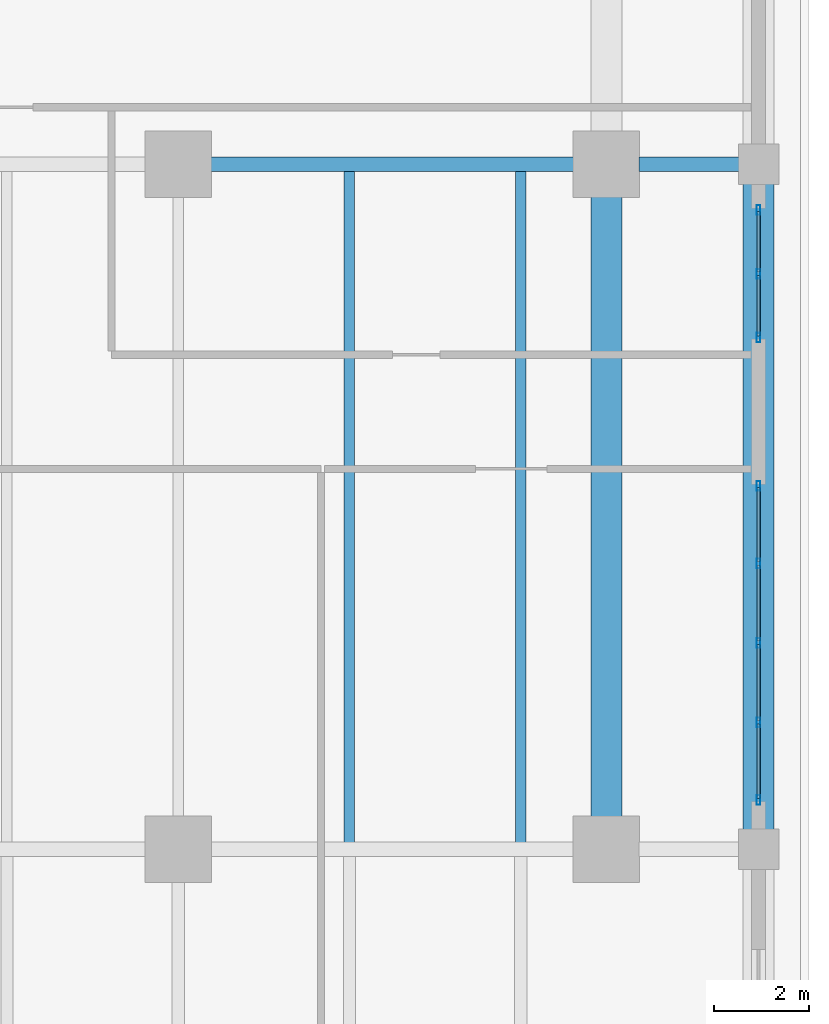
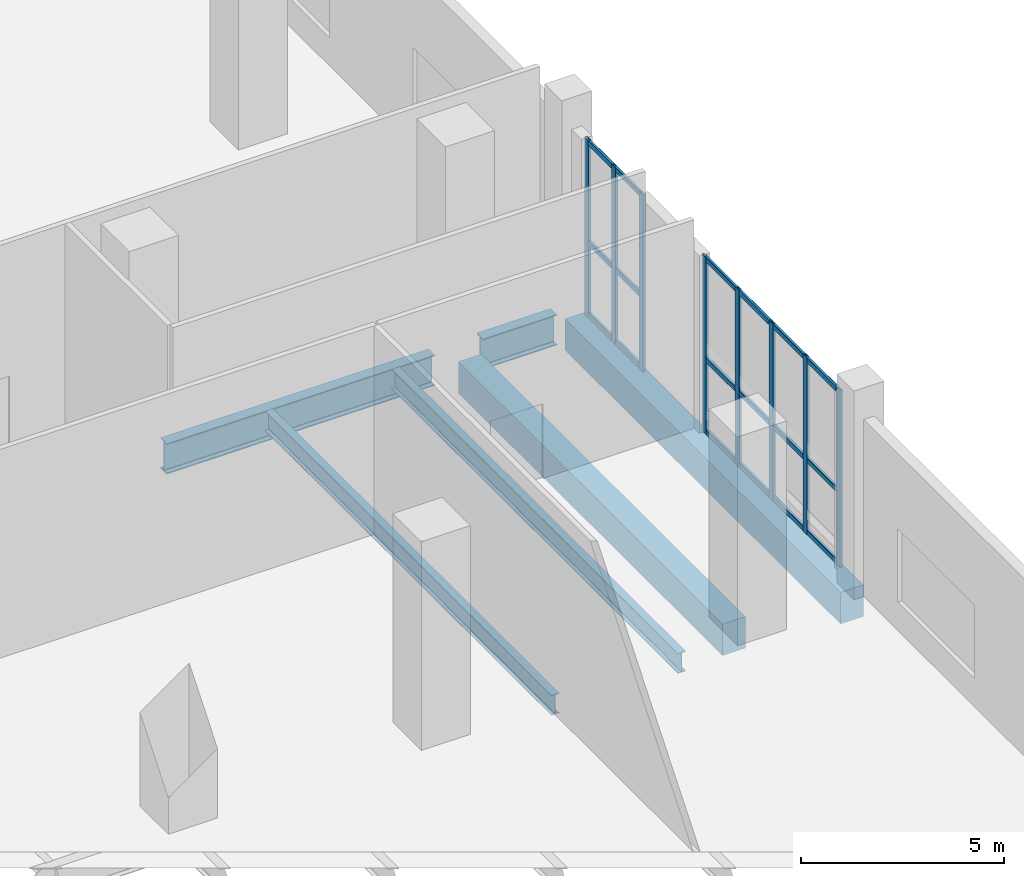
# One storey, part 18 of 29: 26 members, 6 beams, 2 elements without a shape of their own.
"""IFC4 building model written with IfcOpenShell, lengths in metres."""

from ifc_helpers import new_model, si_unit, direction, frame, origin, origin_2d, place, context, subcontext, project, spatial, rectangle, hollow_rectangle, i_section, extrude, material, layer, layer_set, material_profile, profile_set, type_object, element, aggregate, save


model = new_model("IFC4")

# Units and contexts
model_context = context("Model", 3, precision=1e-05, world=origin(), true_north=direction((0.0, 1.0)))
body_context = subcontext(model_context, "Body", "Model", "MODEL_VIEW")
ifc_project = project(units=[si_unit("LENGTHUNIT", "METRE"), si_unit("AREAUNIT", "SQUARE_METRE"), si_unit("VOLUMEUNIT", "CUBIC_METRE"), si_unit("PLANEANGLEUNIT", "RADIAN"), si_unit("MASSUNIT", "GRAM", prefix="KILO")], contexts=[model_context])

# Site, building, storey
site_placement = place(None, origin())
site = spatial("IfcSite", under=ifc_project, at=site_placement, CompositionType="ELEMENT")
building_placement = place(site_placement, origin())
building = spatial("IfcBuilding", under=site, at=building_placement, Name="Kaelvorn Grand Hotel", CompositionType="ELEMENT")
storey_placement = place(building_placement, frame((0.0, 0.0, 19.39990234375)))
storey = spatial("IfcBuildingStorey", under=building, at=storey_placement, Name="L03", CompositionType="ELEMENT", Elevation=19.39990234375)

# Beams
ifc_material_1 = material(Name="Steel S355", Category="steel")
ifc_material_profile_1 = material_profile(ifc_material_1, i_section(OverallWidth=0.305419921875, OverallDepth=0.91845703125, WebThickness=0.017333984375, FlangeThickness=0.02783203125, FilletRadius=0.01904296875, at=origin_2d()), Name="UB 914x305x253")
ifc_profile_set_1 = profile_set([ifc_material_profile_1], Name="Steel S355")
beam_type_1 = type_object("IfcBeamType", Name="BM-G-UB914-S355", PredefinedType="BEAM", material=ifc_profile_set_1)
beam_1_placement = place(storey_placement, frame((75.68505859375, 29.39990234375, -0.779052734375), z_axis=(1.0, 0.0, 0.0), x_axis=(0.0, 1.0, 0.0)))
element("IfcBeam", 1, at=beam_1_placement, inside=storey, type_object=beam_type_1, Name="L03 East Core Wing Steel Girder G-29E 02", PredefinedType="BEAM", context=body_context, shape_type="SweptSolid", body=[
    extrude(i_section(OverallWidth=0.305419921875, OverallDepth=0.91845703125, WebThickness=0.017333984375, FlangeThickness=0.02783203125, FilletRadius=0.01904296875, at=origin_2d()), origin(), (0.0, 0.0, 1.0), 7.6298828125),
])
beam_2_placement = place(storey_placement, frame((84.68505859375, 29.39990234375, -0.779052734375), z_axis=(1.0, 0.0, 0.0), x_axis=(0.0, 1.0, 0.0)))
element("IfcBeam", 2, at=beam_2_placement, inside=storey, type_object=beam_type_1, Name="L03 East Core Wing Steel Girder G-29E 03", PredefinedType="BEAM", context=body_context, shape_type="SweptSolid", body=[
    extrude(i_section(OverallWidth=0.305419921875, OverallDepth=0.91845703125, WebThickness=0.017333984375, FlangeThickness=0.02783203125, FilletRadius=0.01904296875, at=origin_2d()), origin(), (0.0, 0.0, 1.0), 2.10498046875),
])
ifc_material_profile_2 = material_profile(ifc_material_1, i_section(OverallWidth=0.219970703125, OverallDepth=0.60009765625, WebThickness=0.011962890625, FlangeThickness=0.01904296875, FilletRadius=0.02392578125, at=origin_2d()), Name="IPE 600")
ifc_profile_set_2 = profile_set([ifc_material_profile_2], Name="Steel S355")
beam_type_2 = type_object("IfcBeamType", Name="BM-J-IPE600-S355", PredefinedType="JOIST", material=ifc_profile_set_2)
for number, where, z_axis, x_axis, name in (
    (3, (78.60009765625, 15.1376953125, -0.619873046875), (0.0, 1.0, 0.0), (-1.0, 0.0, 0.0), "L03 Composite Floor Joist JM-22"),
    (4, (82.199951171875, 15.1376953125, -0.619873046875), (0.0, 1.0, 0.0), (-1.0, 0.0, 0.0), "L03 Composite Floor Joist JM-23"),
):
    element("IfcBeam", number, at=place(storey_placement, frame(where, z_axis=z_axis, x_axis=x_axis)), inside=storey, type_object=beam_type_2, Name=name, PredefinedType="JOIST", context=body_context, shape_type="SweptSolid", body=[
        extrude(i_section(OverallWidth=0.219970703125, OverallDepth=0.60009765625, WebThickness=0.011962890625, FlangeThickness=0.01904296875, FilletRadius=0.02392578125, at=origin_2d()), origin(), (0.0, 0.0, 1.0), 14.12451171875),
    ])
ifc_material_2 = material(Name="Concrete C60/75", Category="concrete")
ifc_material_profile_3 = material_profile(ifc_material_2, rectangle(XDim=0.64990234375, YDim=0.949951171875, at=origin_2d()), Name="RC SPANDREL 650x950")
ifc_profile_set_3 = profile_set([ifc_material_profile_3], Name="Concrete C60/75")
beam_type_3 = type_object("IfcBeamType", Name="BM-SP-650x950-C60", PredefinedType="SPANDREL", material=ifc_profile_set_3)
beam_3_placement = place(storey_placement, frame((87.199951171875, 15.409912109375, -0.794921875), z_axis=(0.0, 1.0, 0.0), x_axis=(-1.0, 0.0, 0.0)))
element("IfcBeam", 5, at=beam_3_placement, inside=storey, type_object=beam_type_3, Name="L03 East Perimeter Spandrel 02", PredefinedType="SPANDREL", context=body_context, shape_type="SweptSolid", body=[
    extrude(rectangle(XDim=0.64990234375, YDim=0.949951171875, at=origin_2d()), origin(), (0.0, 0.0, 1.0), 13.580078125),
])
beam_4_placement = place(storey_placement, frame((84.0, 15.68505859375, -0.794921875), z_axis=(0.0, 1.0, 0.0), x_axis=(-1.0, 0.0, 0.0)))
element("IfcBeam", 6, at=beam_4_placement, inside=storey, type_object=beam_type_3, Name="L03 Tower Wing Girder TE 01", PredefinedType="SPANDREL", context=body_context, shape_type="SweptSolid", body=[
    extrude(rectangle(XDim=0.64990234375, YDim=0.949951171875, at=origin_2d()), origin(), (0.0, 0.0, 1.0), 13.030029296875),
])

# Curtain wall, members
ifc_material_3 = material(Name="Anodised Aluminium", Category="aluminium")
ifc_layer = layer(ifc_material_3, 0.199951171875)
ifc_layer_set = layer_set([ifc_layer], Name="Anodised Aluminium")
curtain_wall_type = type_object("IfcCurtainWallType", Name="CW-SYS2", PredefinedType="NOTDEFINED", material=ifc_layer_set)
curtain_wall_1_placement = place(storey_placement, origin())
curtain_wall_1 = element("IfcCurtainWall", 7, at=curtain_wall_1_placement, inside=storey, type_object=curtain_wall_type, Name="L03 Unitised Curtain Wall CW2 (CW-L03-E-01)", PredefinedType="NOTDEFINED")
ifc_material_profile_4 = material_profile(ifc_material_3, hollow_rectangle(XDim=0.074951171875, YDim=0.199951171875, WallThickness=0.00390625, InnerFilletRadius=0.00390625, OuterFilletRadius=0.008056640625, at=origin_2d()), Name="ALU MULL 75x200")
ifc_profile_set_4 = profile_set([ifc_material_profile_4], Name="Anodised Aluminium")
member_type_1 = type_object("IfcMemberType", Name="CW-SYS2-MULL", PredefinedType="MULLION", material=ifc_profile_set_4)
member_1_placement = place(storey_placement, frame((87.199951171875, 16.03759765625, 0.0), z_axis=(0.0, 0.0, 1.0), x_axis=(-1.0, 0.0, 0.0)))
member_1 = element("IfcMember", 8, at=member_1_placement, type_object=member_type_1, Name="CW2 mullion 1", PredefinedType="MULLION", context=body_context, shape_type="SweptSolid", body=[
    extrude(hollow_rectangle(XDim=0.074951171875, YDim=0.199951171875, WallThickness=0.00390625, InnerFilletRadius=0.00390625, OuterFilletRadius=0.008056640625, at=origin_2d()), origin(), (0.0, 0.0, 1.0), 5.330078125),
])
member_2_placement = place(storey_placement, frame((87.199951171875, 17.669921875, 0.0), z_axis=(0.0, 0.0, 1.0), x_axis=(-1.0, 0.0, 0.0)))
member_2 = element("IfcMember", 9, at=member_2_placement, type_object=member_type_1, Name="CW2 mullion 2", PredefinedType="MULLION", context=body_context, shape_type="SweptSolid", body=[
    extrude(hollow_rectangle(XDim=0.074951171875, YDim=0.199951171875, WallThickness=0.00390625, InnerFilletRadius=0.00390625, OuterFilletRadius=0.008056640625, at=origin_2d()), origin(), (0.0, 0.0, 1.0), 5.330078125),
])
member_3_placement = place(storey_placement, frame((87.199951171875, 19.340087890625, 0.0), z_axis=(0.0, 0.0, 1.0), x_axis=(-1.0, 0.0, 0.0)))
member_3 = element("IfcMember", 10, at=member_3_placement, type_object=member_type_1, Name="CW2 mullion 3", PredefinedType="MULLION", context=body_context, shape_type="SweptSolid", body=[
    extrude(hollow_rectangle(XDim=0.074951171875, YDim=0.199951171875, WallThickness=0.00390625, InnerFilletRadius=0.00390625, OuterFilletRadius=0.008056640625, at=origin_2d()), origin(), (0.0, 0.0, 1.0), 5.330078125),
])
member_4_placement = place(storey_placement, frame((87.199951171875, 21.010009765625, 0.0), z_axis=(0.0, 0.0, 1.0), x_axis=(-1.0, 0.0, 0.0)))
member_4 = element("IfcMember", 11, at=member_4_placement, type_object=member_type_1, Name="CW2 mullion 4", PredefinedType="MULLION", context=body_context, shape_type="SweptSolid", body=[
    extrude(hollow_rectangle(XDim=0.074951171875, YDim=0.199951171875, WallThickness=0.00390625, InnerFilletRadius=0.00390625, OuterFilletRadius=0.008056640625, at=origin_2d()), origin(), (0.0, 0.0, 1.0), 5.330078125),
])
member_5_placement = place(storey_placement, frame((87.199951171875, 22.642578125, 0.0), z_axis=(0.0, 0.0, 1.0), x_axis=(-1.0, 0.0, 0.0)))
member_5 = element("IfcMember", 12, at=member_5_placement, type_object=member_type_1, Name="CW2 mullion 5", PredefinedType="MULLION", context=body_context, shape_type="SweptSolid", body=[
    extrude(hollow_rectangle(XDim=0.074951171875, YDim=0.199951171875, WallThickness=0.00390625, InnerFilletRadius=0.00390625, OuterFilletRadius=0.008056640625, at=origin_2d()), origin(), (0.0, 0.0, 1.0), 5.330078125),
])

curtain_wall_2_placement = place(storey_placement, origin())
curtain_wall_2 = element("IfcCurtainWall", 13, at=curtain_wall_2_placement, inside=storey, type_object=curtain_wall_type, Name="L03 Unitised Curtain Wall CW2 (CW-L03-E-02)", PredefinedType="NOTDEFINED")
member_6_placement = place(storey_placement, frame((87.199951171875, 25.757568359375, 0.0), z_axis=(0.0, 0.0, 1.0), x_axis=(-1.0, 0.0, 0.0)))
member_6 = element("IfcMember", 14, at=member_6_placement, type_object=member_type_1, Name="CW2 mullion 1", PredefinedType="MULLION", context=body_context, shape_type="SweptSolid", body=[
    extrude(hollow_rectangle(XDim=0.074951171875, YDim=0.199951171875, WallThickness=0.00390625, InnerFilletRadius=0.00390625, OuterFilletRadius=0.008056640625, at=origin_2d()), origin(), (0.0, 0.0, 1.0), 5.330078125),
])
member_7_placement = place(storey_placement, frame((87.199951171875, 27.10009765625, 0.0), z_axis=(0.0, 0.0, 1.0), x_axis=(-1.0, 0.0, 0.0)))
member_7 = element("IfcMember", 15, at=member_7_placement, type_object=member_type_1, Name="CW2 mullion 2", PredefinedType="MULLION", context=body_context, shape_type="SweptSolid", body=[
    extrude(hollow_rectangle(XDim=0.074951171875, YDim=0.199951171875, WallThickness=0.00390625, InnerFilletRadius=0.00390625, OuterFilletRadius=0.008056640625, at=origin_2d()), origin(), (0.0, 0.0, 1.0), 5.330078125),
])
member_8_placement = place(storey_placement, frame((87.199951171875, 28.4423828125, 0.0), z_axis=(0.0, 0.0, 1.0), x_axis=(-1.0, 0.0, 0.0)))
member_8 = element("IfcMember", 16, at=member_8_placement, type_object=member_type_1, Name="CW2 mullion 3", PredefinedType="MULLION", context=body_context, shape_type="SweptSolid", body=[
    extrude(hollow_rectangle(XDim=0.074951171875, YDim=0.199951171875, WallThickness=0.00390625, InnerFilletRadius=0.00390625, OuterFilletRadius=0.008056640625, at=origin_2d()), origin(), (0.0, 0.0, 1.0), 5.330078125),
])

# Member
ifc_material_profile_5 = material_profile(ifc_material_3, hollow_rectangle(XDim=0.074951171875, YDim=0.14990234375, WallThickness=0.00390625, InnerFilletRadius=0.00390625, OuterFilletRadius=0.008056640625, at=origin_2d()), Name="ALU TRAN 75x150")
ifc_profile_set_5 = profile_set([ifc_material_profile_5], Name="Anodised Aluminium")
member_type_2 = type_object("IfcMemberType", Name="CW-SYS2-TRAN", PredefinedType="NOTDEFINED", material=ifc_profile_set_5)
member_9_placement = place(storey_placement, frame((87.199951171875, 16.074951171875, 0.0751953125), z_axis=(0.0, 1.0, 0.0), x_axis=(-1.0, 0.0, 0.0)))
member_9 = element("IfcMember", 17, at=member_9_placement, type_object=member_type_2, Name="CW2 transom 1.1", ObjectType="TRANSOM", PredefinedType="USERDEFINED", context=body_context, shape_type="SweptSolid", body=[
    extrude(hollow_rectangle(XDim=0.074951171875, YDim=0.14990234375, WallThickness=0.00390625, InnerFilletRadius=0.00390625, OuterFilletRadius=0.008056640625, at=origin_2d()), origin(), (0.0, 0.0, 1.0), 1.5576171875),
])

member_10_placement = place(storey_placement, frame((87.199951171875, 16.074951171875, 2.23876953125), z_axis=(0.0, 1.0, 0.0), x_axis=(-1.0, 0.0, 0.0)))
member_10 = element("IfcMember", 18, at=member_10_placement, type_object=member_type_2, Name="CW2 transom 1.2", ObjectType="TRANSOM", PredefinedType="USERDEFINED", context=body_context, shape_type="SweptSolid", body=[
    extrude(hollow_rectangle(XDim=0.074951171875, YDim=0.14990234375, WallThickness=0.00390625, InnerFilletRadius=0.00390625, OuterFilletRadius=0.008056640625, at=origin_2d()), origin(), (0.0, 0.0, 1.0), 1.5576171875),
])

member_11_placement = place(storey_placement, frame((87.199951171875, 16.074951171875, 5.255126953125), z_axis=(0.0, 1.0, 0.0), x_axis=(-1.0, 0.0, 0.0)))
member_11 = element("IfcMember", 19, at=member_11_placement, type_object=member_type_2, Name="CW2 transom 1.3", ObjectType="TRANSOM", PredefinedType="USERDEFINED", context=body_context, shape_type="SweptSolid", body=[
    extrude(hollow_rectangle(XDim=0.074951171875, YDim=0.14990234375, WallThickness=0.00390625, InnerFilletRadius=0.00390625, OuterFilletRadius=0.008056640625, at=origin_2d()), origin(), (0.0, 0.0, 1.0), 1.5576171875),
])

member_12_placement = place(storey_placement, frame((87.199951171875, 17.70751953125, 0.0751953125), z_axis=(0.0, 1.0, 0.0), x_axis=(-1.0, 0.0, 0.0)))
member_12 = element("IfcMember", 20, at=member_12_placement, type_object=member_type_2, Name="CW2 transom 2.1", ObjectType="TRANSOM", PredefinedType="USERDEFINED", context=body_context, shape_type="SweptSolid", body=[
    extrude(hollow_rectangle(XDim=0.074951171875, YDim=0.14990234375, WallThickness=0.00390625, InnerFilletRadius=0.00390625, OuterFilletRadius=0.008056640625, at=origin_2d()), origin(), (0.0, 0.0, 1.0), 1.594970703125),
])

member_13_placement = place(storey_placement, frame((87.199951171875, 17.70751953125, 2.23876953125), z_axis=(0.0, 1.0, 0.0), x_axis=(-1.0, 0.0, 0.0)))
member_13 = element("IfcMember", 21, at=member_13_placement, type_object=member_type_2, Name="CW2 transom 2.2", ObjectType="TRANSOM", PredefinedType="USERDEFINED", context=body_context, shape_type="SweptSolid", body=[
    extrude(hollow_rectangle(XDim=0.074951171875, YDim=0.14990234375, WallThickness=0.00390625, InnerFilletRadius=0.00390625, OuterFilletRadius=0.008056640625, at=origin_2d()), origin(), (0.0, 0.0, 1.0), 1.594970703125),
])

member_14_placement = place(storey_placement, frame((87.199951171875, 17.70751953125, 5.255126953125), z_axis=(0.0, 1.0, 0.0), x_axis=(-1.0, 0.0, 0.0)))
member_14 = element("IfcMember", 22, at=member_14_placement, type_object=member_type_2, Name="CW2 transom 2.3", ObjectType="TRANSOM", PredefinedType="USERDEFINED", context=body_context, shape_type="SweptSolid", body=[
    extrude(hollow_rectangle(XDim=0.074951171875, YDim=0.14990234375, WallThickness=0.00390625, InnerFilletRadius=0.00390625, OuterFilletRadius=0.008056640625, at=origin_2d()), origin(), (0.0, 0.0, 1.0), 1.594970703125),
])

member_15_placement = place(storey_placement, frame((87.199951171875, 19.37744140625, 0.0751953125), z_axis=(0.0, 1.0, 0.0), x_axis=(-1.0, 0.0, 0.0)))
member_15 = element("IfcMember", 23, at=member_15_placement, type_object=member_type_2, Name="CW2 transom 3.1", ObjectType="TRANSOM", PredefinedType="USERDEFINED", context=body_context, shape_type="SweptSolid", body=[
    extrude(hollow_rectangle(XDim=0.074951171875, YDim=0.14990234375, WallThickness=0.00390625, InnerFilletRadius=0.00390625, OuterFilletRadius=0.008056640625, at=origin_2d()), origin(), (0.0, 0.0, 1.0), 1.594970703125),
])

member_16_placement = place(storey_placement, frame((87.199951171875, 19.37744140625, 2.23876953125), z_axis=(0.0, 1.0, 0.0), x_axis=(-1.0, 0.0, 0.0)))
member_16 = element("IfcMember", 24, at=member_16_placement, type_object=member_type_2, Name="CW2 transom 3.2", ObjectType="TRANSOM", PredefinedType="USERDEFINED", context=body_context, shape_type="SweptSolid", body=[
    extrude(hollow_rectangle(XDim=0.074951171875, YDim=0.14990234375, WallThickness=0.00390625, InnerFilletRadius=0.00390625, OuterFilletRadius=0.008056640625, at=origin_2d()), origin(), (0.0, 0.0, 1.0), 1.594970703125),
])

member_17_placement = place(storey_placement, frame((87.199951171875, 19.37744140625, 5.255126953125), z_axis=(0.0, 1.0, 0.0), x_axis=(-1.0, 0.0, 0.0)))
member_17 = element("IfcMember", 25, at=member_17_placement, type_object=member_type_2, Name="CW2 transom 3.3", ObjectType="TRANSOM", PredefinedType="USERDEFINED", context=body_context, shape_type="SweptSolid", body=[
    extrude(hollow_rectangle(XDim=0.074951171875, YDim=0.14990234375, WallThickness=0.00390625, InnerFilletRadius=0.00390625, OuterFilletRadius=0.008056640625, at=origin_2d()), origin(), (0.0, 0.0, 1.0), 1.594970703125),
])

member_18_placement = place(storey_placement, frame((87.199951171875, 21.047607421875, 0.0751953125), z_axis=(0.0, 1.0, 0.0), x_axis=(-1.0, 0.0, 0.0)))
member_18 = element("IfcMember", 26, at=member_18_placement, type_object=member_type_2, Name="CW2 transom 4.1", ObjectType="TRANSOM", PredefinedType="USERDEFINED", context=body_context, shape_type="SweptSolid", body=[
    extrude(hollow_rectangle(XDim=0.074951171875, YDim=0.14990234375, WallThickness=0.00390625, InnerFilletRadius=0.00390625, OuterFilletRadius=0.008056640625, at=origin_2d()), origin(), (0.0, 0.0, 1.0), 1.557373046875),
])

member_19_placement = place(storey_placement, frame((87.199951171875, 21.047607421875, 2.23876953125), z_axis=(0.0, 1.0, 0.0), x_axis=(-1.0, 0.0, 0.0)))
member_19 = element("IfcMember", 27, at=member_19_placement, type_object=member_type_2, Name="CW2 transom 4.2", ObjectType="TRANSOM", PredefinedType="USERDEFINED", context=body_context, shape_type="SweptSolid", body=[
    extrude(hollow_rectangle(XDim=0.074951171875, YDim=0.14990234375, WallThickness=0.00390625, InnerFilletRadius=0.00390625, OuterFilletRadius=0.008056640625, at=origin_2d()), origin(), (0.0, 0.0, 1.0), 1.557373046875),
])

member_20_placement = place(storey_placement, frame((87.199951171875, 21.047607421875, 5.255126953125), z_axis=(0.0, 1.0, 0.0), x_axis=(-1.0, 0.0, 0.0)))
member_20 = element("IfcMember", 28, at=member_20_placement, type_object=member_type_2, Name="CW2 transom 4.3", ObjectType="TRANSOM", PredefinedType="USERDEFINED", context=body_context, shape_type="SweptSolid", body=[
    extrude(hollow_rectangle(XDim=0.074951171875, YDim=0.14990234375, WallThickness=0.00390625, InnerFilletRadius=0.00390625, OuterFilletRadius=0.008056640625, at=origin_2d()), origin(), (0.0, 0.0, 1.0), 1.557373046875),
])

aggregate(curtain_wall_1, [member_1, member_2, member_3, member_4, member_5, member_9, member_10, member_11, member_12, member_13, member_14, member_15, member_16, member_17, member_18, member_19, member_20])

member_21_placement = place(storey_placement, frame((87.199951171875, 25.794921875, 0.0751953125), z_axis=(0.0, 1.0, 0.0), x_axis=(-1.0, 0.0, 0.0)))
member_21 = element("IfcMember", 29, at=member_21_placement, type_object=member_type_2, Name="CW2 transom 1.1", ObjectType="TRANSOM", PredefinedType="USERDEFINED", context=body_context, shape_type="SweptSolid", body=[
    extrude(hollow_rectangle(XDim=0.074951171875, YDim=0.14990234375, WallThickness=0.00390625, InnerFilletRadius=0.00390625, OuterFilletRadius=0.008056640625, at=origin_2d()), origin(), (0.0, 0.0, 1.0), 1.267578125),
])

member_22_placement = place(storey_placement, frame((87.199951171875, 25.794921875, 2.23876953125), z_axis=(0.0, 1.0, 0.0), x_axis=(-1.0, 0.0, 0.0)))
member_22 = element("IfcMember", 30, at=member_22_placement, type_object=member_type_2, Name="CW2 transom 1.2", ObjectType="TRANSOM", PredefinedType="USERDEFINED", context=body_context, shape_type="SweptSolid", body=[
    extrude(hollow_rectangle(XDim=0.074951171875, YDim=0.14990234375, WallThickness=0.00390625, InnerFilletRadius=0.00390625, OuterFilletRadius=0.008056640625, at=origin_2d()), origin(), (0.0, 0.0, 1.0), 1.267578125),
])

member_23_placement = place(storey_placement, frame((87.199951171875, 25.794921875, 5.255126953125), z_axis=(0.0, 1.0, 0.0), x_axis=(-1.0, 0.0, 0.0)))
member_23 = element("IfcMember", 31, at=member_23_placement, type_object=member_type_2, Name="CW2 transom 1.3", ObjectType="TRANSOM", PredefinedType="USERDEFINED", context=body_context, shape_type="SweptSolid", body=[
    extrude(hollow_rectangle(XDim=0.074951171875, YDim=0.14990234375, WallThickness=0.00390625, InnerFilletRadius=0.00390625, OuterFilletRadius=0.008056640625, at=origin_2d()), origin(), (0.0, 0.0, 1.0), 1.267578125),
])

member_24_placement = place(storey_placement, frame((87.199951171875, 27.137451171875, 0.0751953125), z_axis=(0.0, 1.0, 0.0), x_axis=(-1.0, 0.0, 0.0)))
member_24 = element("IfcMember", 32, at=member_24_placement, type_object=member_type_2, Name="CW2 transom 2.1", ObjectType="TRANSOM", PredefinedType="USERDEFINED", context=body_context, shape_type="SweptSolid", body=[
    extrude(hollow_rectangle(XDim=0.074951171875, YDim=0.14990234375, WallThickness=0.00390625, InnerFilletRadius=0.00390625, OuterFilletRadius=0.008056640625, at=origin_2d()), origin(), (0.0, 0.0, 1.0), 1.267578125),
])

member_25_placement = place(storey_placement, frame((87.199951171875, 27.137451171875, 2.23876953125), z_axis=(0.0, 1.0, 0.0), x_axis=(-1.0, 0.0, 0.0)))
member_25 = element("IfcMember", 33, at=member_25_placement, type_object=member_type_2, Name="CW2 transom 2.2", ObjectType="TRANSOM", PredefinedType="USERDEFINED", context=body_context, shape_type="SweptSolid", body=[
    extrude(hollow_rectangle(XDim=0.074951171875, YDim=0.14990234375, WallThickness=0.00390625, InnerFilletRadius=0.00390625, OuterFilletRadius=0.008056640625, at=origin_2d()), origin(), (0.0, 0.0, 1.0), 1.267578125),
])

member_26_placement = place(storey_placement, frame((87.199951171875, 27.137451171875, 5.255126953125), z_axis=(0.0, 1.0, 0.0), x_axis=(-1.0, 0.0, 0.0)))
member_26 = element("IfcMember", 34, at=member_26_placement, type_object=member_type_2, Name="CW2 transom 2.3", ObjectType="TRANSOM", PredefinedType="USERDEFINED", context=body_context, shape_type="SweptSolid", body=[
    extrude(hollow_rectangle(XDim=0.074951171875, YDim=0.14990234375, WallThickness=0.00390625, InnerFilletRadius=0.00390625, OuterFilletRadius=0.008056640625, at=origin_2d()), origin(), (0.0, 0.0, 1.0), 1.267578125),
])

aggregate(curtain_wall_2, [member_6, member_7, member_8, member_21, member_22, member_23, member_24, member_25, member_26])

save(model, "model.ifc")
